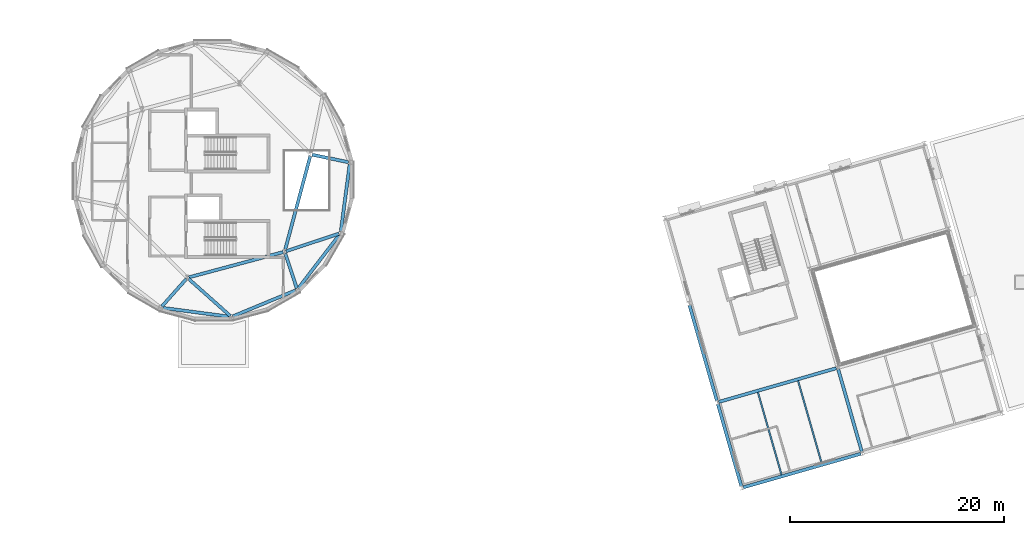
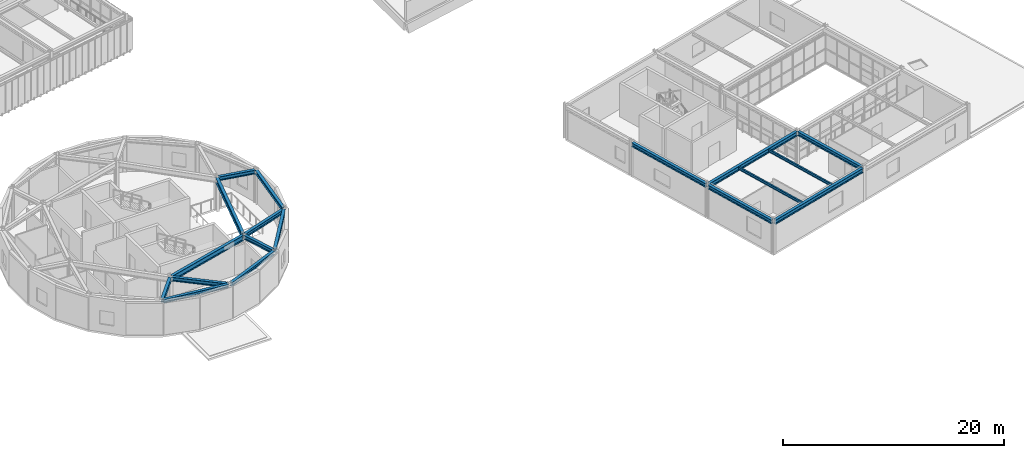
# One storey, part 12 of 44: 18 beams.
"""IFC4 building model written with IfcOpenShell, lengths in metres."""

from ifc_helpers import new_model, si_unit, direction, frame, origin, origin_2d, place, context, subcontext, project, spatial, i_section, extrude, material, material_profile, profile_set, type_object, element, save


model = new_model("IFC4")

# Units and contexts
model_context = context("Model", 3, precision=1e-05, world=origin(), true_north=direction((0.0, 1.0)))
body_context = subcontext(model_context, "Body", "Model", "MODEL_VIEW")
ifc_project = project(units=[si_unit("LENGTHUNIT", "METRE"), si_unit("AREAUNIT", "SQUARE_METRE"), si_unit("VOLUMEUNIT", "CUBIC_METRE"), si_unit("PLANEANGLEUNIT", "RADIAN"), si_unit("MASSUNIT", "GRAM", prefix="KILO")], contexts=[model_context])

# Site, building, storey
site_placement = place(None, origin())
site = spatial("IfcSite", under=ifc_project, at=site_placement, CompositionType="ELEMENT")
building_placement = place(site_placement, origin())
building = spatial("IfcBuilding", under=site, at=building_placement, Name="Varnklinge Art Gallery", CompositionType="ELEMENT")
storey_placement = place(building_placement, frame((0.0, 0.0, 13.679931640625)))
storey = spatial("IfcBuildingStorey", under=building, at=storey_placement, Name="L03", CompositionType="ELEMENT", Elevation=13.679931640625)

# Beams
ifc_material_1 = material(Name="Steel S355", Category="steel")
ifc_material_profile_1 = material_profile(ifc_material_1, i_section(OverallWidth=0.300048828125, OverallDepth=0.590087890625, WebThickness=0.012939453125, FlangeThickness=0.02490234375, FilletRadius=0.027099609375, at=origin_2d()), Name="HEA 600")
ifc_profile_set_1 = profile_set([ifc_material_profile_1], Name="Steel S355")
beam_type_1 = type_object("IfcBeamType", Name="BM-06", PredefinedType="BEAM", material=ifc_profile_set_1)
for number, where, z_axis, x_axis, name in (
    (1, (73.202392578125, 29.45654296875, 3.465087890625), (0.965928574877, 0.258808787016, 0.0), (-0.258808787016, 0.965928574877, 0.0), "L03 BM-06 BM-V4D-L04-I5"),
    (2, (82.18310546875, 31.98828125, 3.465087890625), (0.258808787016, 0.965928574877, 0.0), (-0.965928574877, 0.258808787016, 0.0), "L03 BM-06 BM-V4D-L04-I6"),
):
    element("IfcBeam", number, at=place(storey_placement, frame(where, z_axis=z_axis, x_axis=x_axis)), inside=storey, type_object=beam_type_1, Name=name, PredefinedType="BEAM", context=body_context, shape_type="SweptSolid", body=[
        extrude(i_section(OverallWidth=0.300048828125, OverallDepth=0.590087890625, WebThickness=0.012939453125, FlangeThickness=0.02490234375, FilletRadius=0.027099609375, at=origin_2d()), origin(), (0.0, 0.0, 1.0), 9.1201171875),
    ])
ifc_material_2 = material(Name="Steel S355", Category="steel")
ifc_material_profile_2 = material_profile(ifc_material_2, i_section(OverallWidth=0.300048828125, OverallDepth=0.489990234375, WebThickness=0.011962890625, FlangeThickness=0.02294921875, FilletRadius=0.027099609375, at=origin_2d()), Name="HEA 500")
ifc_profile_set_2 = profile_set([ifc_material_profile_2], Name="Steel S355")
beam_type_2 = type_object("IfcBeamType", Name="BM-07", PredefinedType="BEAM", material=ifc_profile_set_2)
for number, where, z_axis, x_axis, name in (
    (3, (124.962158203125, 9.8466796875, 3.47509765625), (0.961262939416, 0.275633019257, 0.0), (-0.275633019257, 0.961262939416, 0.0), "L03 BM-07 BM-V6-L04-U0-0"),
    (4, (122.67431640625, 17.8251953125, 3.47509765625), (0.961262939416, 0.275633019257, 0.0), (-0.275633019257, 0.961262939416, 0.0), "L03 BM-07 BM-V6-L04-U1-0"),
):
    element("IfcBeam", number, at=place(storey_placement, frame(where, z_axis=z_axis, x_axis=x_axis)), inside=storey, type_object=beam_type_2, Name=name, PredefinedType="BEAM", context=body_context, shape_type="SweptSolid", body=[
        extrude(i_section(OverallWidth=0.300048828125, OverallDepth=0.489990234375, WebThickness=0.011962890625, FlangeThickness=0.02294921875, FilletRadius=0.027099609375, at=origin_2d()), origin(), (0.0, 0.0, 1.0), 11.419921875),
    ])
ifc_material_3 = material(Name="Steel S355", Category="steel")
ifc_material_profile_3 = material_profile(ifc_material_3, i_section(OverallWidth=0.300048828125, OverallDepth=0.43994140625, WebThickness=0.011474609375, FlangeThickness=0.02099609375, FilletRadius=0.027099609375, at=origin_2d()), Name="HEA 450")
ifc_profile_set_3 = profile_set([ifc_material_profile_3], Name="Steel S355")
beam_type_3 = type_object("IfcBeamType", Name="BM-08", PredefinedType="BEAM", material=ifc_profile_set_3)
beam_1_placement = place(storey_placement, frame((84.716796875, 40.904541015625, 3.5400390625), z_axis=(0.979353549328, -0.202154953982, 0.0), x_axis=(0.202154953982, 0.979353549328, 0.0)))
element("IfcBeam", 5, at=beam_1_placement, inside=storey, type_object=beam_type_3, Name="L03 BM-08 BM-V4D-L04-R01", PredefinedType="BEAM", context=body_context, shape_type="SweptSolid", body=[
    extrude(i_section(OverallWidth=0.300048828125, OverallDepth=0.43994140625, WebThickness=0.011474609375, FlangeThickness=0.02099609375, FilletRadius=0.027099609375, at=origin_2d()), origin(), (0.0, 0.0, 1.0), 3.45751953125),
])
beam_2_placement = place(storey_placement, frame((72.97412109375, 29.315673828125, 3.5400390625), z_axis=(-0.664780083084, -0.747039116201, 0.0), x_axis=(0.747039116201, -0.664780083084, 0.0)))
element("IfcBeam", 6, at=beam_2_placement, inside=storey, type_object=beam_type_3, Name="L03 BM-08 BM-V4D-L04-R09", PredefinedType="BEAM", context=body_context, shape_type="SweptSolid", body=[
    extrude(i_section(OverallWidth=0.300048828125, OverallDepth=0.43994140625, WebThickness=0.011474609375, FlangeThickness=0.02099609375, FilletRadius=0.027099609375, at=origin_2d()), origin(), (0.0, 0.0, 1.0), 3.457763671875),
])
beam_3_placement = place(storey_placement, frame((73.171630859375, 29.3271484375, 3.5400390625), z_axis=(0.746795307155, -0.665053959623, 0.0), x_axis=(0.665053959623, 0.746795307155, 0.0)))
element("IfcBeam", 7, at=beam_3_placement, inside=storey, type_object=beam_type_3, Name="L03 BM-08 BM-V4D-L04-R10", PredefinedType="BEAM", context=body_context, shape_type="SweptSolid", body=[
    extrude(i_section(OverallWidth=0.300048828125, OverallDepth=0.43994140625, WebThickness=0.011474609375, FlangeThickness=0.02099609375, FilletRadius=0.027099609375, at=origin_2d()), origin(), (0.0, 0.0, 1.0), 5.223876953125),
])
beam_4_placement = place(storey_placement, frame((82.19091796875, 31.72021484375, 3.5400390625), z_axis=(0.314574973389, -0.949232630137, 0.0), x_axis=(0.949232630137, 0.314574973389, 0.0)))
element("IfcBeam", 8, at=beam_4_placement, inside=storey, type_object=beam_type_3, Name="L03 BM-08 BM-V4D-L04-R11", PredefinedType="BEAM", context=body_context, shape_type="SweptSolid", body=[
    extrude(i_section(OverallWidth=0.300048828125, OverallDepth=0.43994140625, WebThickness=0.011474609375, FlangeThickness=0.02099609375, FilletRadius=0.027099609375, at=origin_2d()), origin(), (0.0, 0.0, 1.0), 3.45751953125),
])
beam_5_placement = place(storey_placement, frame((82.27978515625, 31.897216796875, 3.5400390625), z_axis=(0.949354152102, 0.314208042366, 0.0), x_axis=(-0.314208042366, 0.949354152102, 0.0)))
element("IfcBeam", 9, at=beam_5_placement, inside=storey, type_object=beam_type_3, Name="L03 BM-08 BM-V4D-L04-R12", PredefinedType="BEAM", context=body_context, shape_type="SweptSolid", body=[
    extrude(i_section(OverallWidth=0.300048828125, OverallDepth=0.43994140625, WebThickness=0.011474609375, FlangeThickness=0.02099609375, FilletRadius=0.027099609375, at=origin_2d()), origin(), (0.0, 0.0, 1.0), 5.223876953125),
])
beam_6_placement = place(storey_placement, frame((124.788818359375, 9.94287109375, 3.5), z_axis=(-0.275621630307, 0.961266205016, 0.0), x_axis=(-0.961266205016, -0.275621630307, 0.0)))
element("IfcBeam", 10, at=beam_6_placement, inside=storey, type_object=beam_type_3, Name="L03 BM-08 BM-V6-L04-V0-0", PredefinedType="BEAM", context=body_context, shape_type="SweptSolid", body=[
    extrude(i_section(OverallWidth=0.300048828125, OverallDepth=0.43994140625, WebThickness=0.011474609375, FlangeThickness=0.02099609375, FilletRadius=0.027099609375, at=origin_2d()), origin(), (0.0, 0.0, 1.0), 8.019775390625),
])
beam_7_placement = place(storey_placement, frame((122.501220703125, 17.92138671875, 3.5), z_axis=(-0.275658609922, 0.961255601168, 0.0), x_axis=(-0.961255601168, -0.275658609922, 0.0)))
element("IfcBeam", 11, at=beam_7_placement, inside=storey, type_object=beam_type_3, Name="L03 BM-08 BM-V6-L04-V0-1", PredefinedType="BEAM", context=body_context, shape_type="SweptSolid", body=[
    extrude(i_section(OverallWidth=0.300048828125, OverallDepth=0.43994140625, WebThickness=0.011474609375, FlangeThickness=0.02099609375, FilletRadius=0.027099609375, at=origin_2d()), origin(), (0.0, 0.0, 1.0), 9.31982421875),
])
beam_8_placement = place(storey_placement, frame((136.03564453125, 13.167724609375, 3.5), z_axis=(-0.275621630307, 0.961266205016, 0.0), x_axis=(-0.961266205016, -0.275621630307, 0.0)))
element("IfcBeam", 12, at=beam_8_placement, inside=storey, type_object=beam_type_3, Name="L03 BM-08 BM-V6-L04-V1-0", PredefinedType="BEAM", context=body_context, shape_type="SweptSolid", body=[
    extrude(i_section(OverallWidth=0.300048828125, OverallDepth=0.43994140625, WebThickness=0.011474609375, FlangeThickness=0.02099609375, FilletRadius=0.027099609375, at=origin_2d()), origin(), (0.0, 0.0, 1.0), 8.019775390625),
])
ifc_material_4 = material(Name="Steel S355", Category="steel")
ifc_material_profile_4 = material_profile(ifc_material_4, i_section(OverallWidth=0.14990234375, OverallDepth=0.300048828125, WebThickness=0.007080078125, FlangeThickness=0.0107421875, FilletRadius=0.014892578125, at=origin_2d()), Name="IPE 300")
ifc_profile_set_4 = profile_set([ifc_material_profile_4], Name="Steel S355")
beam_type_4 = type_object("IfcBeamType", Name="JST-08", PredefinedType="JOIST", material=ifc_profile_set_4)
beam_9_placement = place(storey_placement, frame((128.537841796875, 11.017578125, 3.570068359375), z_axis=(-0.2756416934, 0.961260452146, 0.0), x_axis=(-0.961260452146, -0.2756416934, 0.0)))
element("IfcBeam", 13, at=beam_9_placement, inside=storey, type_object=beam_type_4, Name="L03 JST-08 JST-V6-L04-0-0-1", PredefinedType="JOIST", context=body_context, shape_type="SweptSolid", body=[
    extrude(i_section(OverallWidth=0.14990234375, OverallDepth=0.300048828125, WebThickness=0.007080078125, FlangeThickness=0.0107421875, FilletRadius=0.014892578125, at=origin_2d()), origin(), (0.0, 0.0, 1.0), 8.020263671875),
])
beam_10_placement = place(storey_placement, frame((132.286865234375, 12.0927734375, 3.570068359375), z_axis=(-0.275649759333, 0.961258139201, 0.0), x_axis=(-0.961258139201, -0.275649759333, 0.0)))
element("IfcBeam", 14, at=beam_10_placement, inside=storey, type_object=beam_type_4, Name="L03 JST-08 JST-V6-L04-0-0-2", PredefinedType="JOIST", context=body_context, shape_type="SweptSolid", body=[
    extrude(i_section(OverallWidth=0.14990234375, OverallDepth=0.300048828125, WebThickness=0.007080078125, FlangeThickness=0.0107421875, FilletRadius=0.014892578125, at=origin_2d()), origin(), (0.0, 0.0, 1.0), 8.02001953125),
])
ifc_material_5 = material(Name="Steel S355", Category="steel")
ifc_material_profile_5 = material_profile(ifc_material_5, i_section(OverallWidth=0.300048828125, OverallDepth=0.389892578125, WebThickness=0.010986328125, FlangeThickness=0.01904296875, FilletRadius=0.027099609375, at=origin_2d()), Name="HEA 400")
ifc_profile_set_5 = profile_set([ifc_material_profile_5], Name="Steel S355")
beam_type_5 = type_object("IfcBeamType", Name="SPB-03", PredefinedType="SPANDREL", material=ifc_profile_set_5)
beam_11_placement = place(storey_placement, frame((70.72119140625, 26.60986328125, 3.565185546875), z_axis=(0.991448034575, -0.130502087099, 0.0), x_axis=(0.130502087099, 0.991448034575, 0.0)))
element("IfcBeam", 15, at=beam_11_placement, inside=storey, type_object=beam_type_5, Name="L03 SPB-03 BM-V4D-L04-P09", PredefinedType="SPANDREL", context=body_context, shape_type="SweptSolid", body=[
    extrude(i_section(OverallWidth=0.300048828125, OverallDepth=0.389892578125, WebThickness=0.010986328125, FlangeThickness=0.01904296875, FilletRadius=0.027099609375, at=origin_2d()), origin(), (0.0, 0.0, 1.0), 6.371826171875),
])
for number, where, z_axis, x_axis, name in (
    (16, (77.306640625, 25.8134765625, 3.565185546875), (0.923886541746, 0.382666510137, 0.0), (-0.382666510137, 0.923886541746, 0.0), "L03 SPB-03 BM-V4D-L04-P10"),
    (17, (83.40771484375, 28.41650390625, 3.565185546875), (0.608773359857, 0.793344185287, 0.0), (-0.793344185287, 0.608773359857, 0.0), "L03 SPB-03 BM-V4D-L04-P11"),
):
    element("IfcBeam", number, at=place(storey_placement, frame(where, z_axis=z_axis, x_axis=x_axis)), inside=storey, type_object=beam_type_5, Name=name, PredefinedType="SPANDREL", context=body_context, shape_type="SweptSolid", body=[
        extrude(i_section(OverallWidth=0.300048828125, OverallDepth=0.389892578125, WebThickness=0.010986328125, FlangeThickness=0.01904296875, FilletRadius=0.027099609375, at=origin_2d()), origin(), (0.0, 0.0, 1.0), 6.37158203125),
    ])
beam_12_placement = place(storey_placement, frame((87.39013671875, 33.72119140625, 3.565185546875), z_axis=(0.130502087099, 0.991448034575, 0.0), x_axis=(-0.991448034575, 0.130502087099, 0.0)))
element("IfcBeam", 18, at=beam_12_placement, inside=storey, type_object=beam_type_5, Name="L03 SPB-03 BM-V4D-L04-P12", PredefinedType="SPANDREL", context=body_context, shape_type="SweptSolid", body=[
    extrude(i_section(OverallWidth=0.300048828125, OverallDepth=0.389892578125, WebThickness=0.010986328125, FlangeThickness=0.01904296875, FilletRadius=0.027099609375, at=origin_2d()), origin(), (0.0, 0.0, 1.0), 6.371826171875),
])

save(model, "model.ifc")
